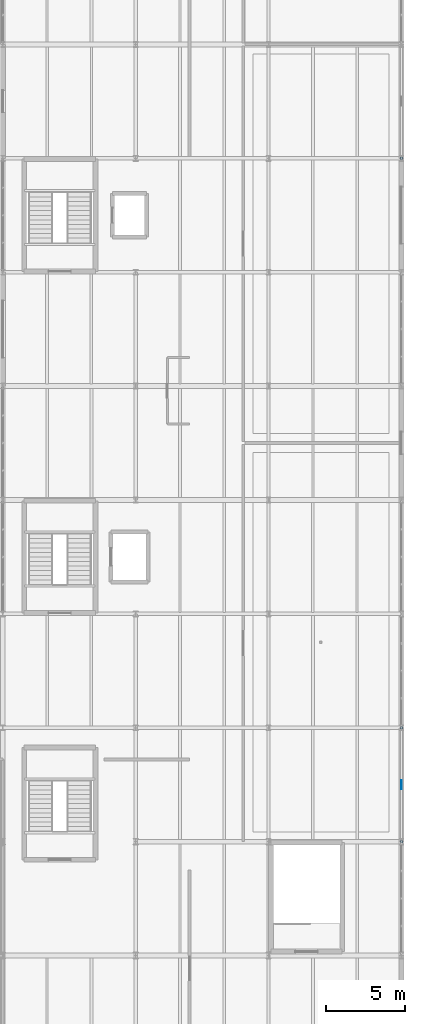
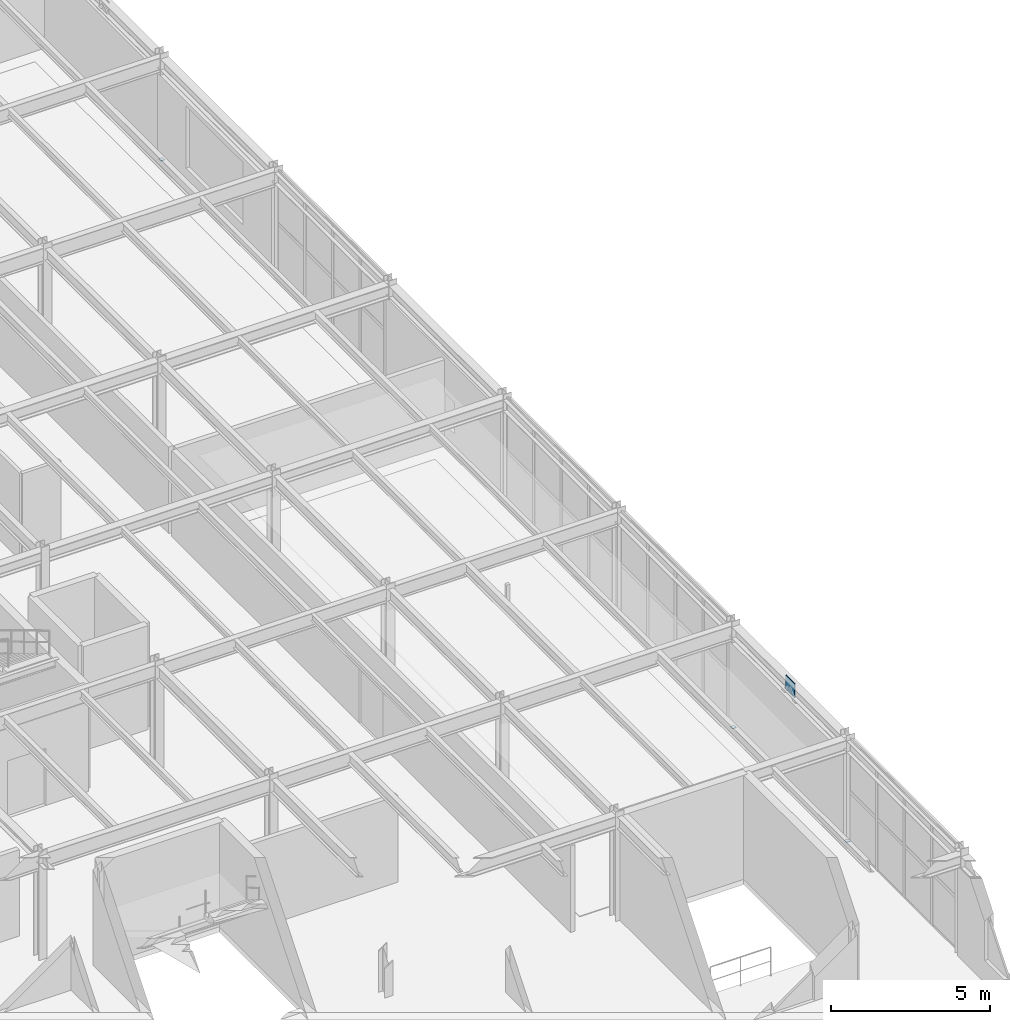
# One storey, part 59 of 73: 4 plates.
"""IFC4 building model written with IfcOpenShell, lengths in metres."""

from ifc_helpers import new_model, si_unit, derived_unit, direction, frame, origin, origin_2d, place, context, subcontext, project, spatial, rectangle, extrude, material, layer, layer_set, type_object, element, save


model = new_model("IFC4")

# Units and contexts
model_context = context("Model", 3, precision=1e-05, world=origin(), true_north=direction((0.0, 1.0)))
body_context = subcontext(model_context, "Body", "Model", "MODEL_VIEW")
ifc_project = project(units=[si_unit("LENGTHUNIT", "METRE"), si_unit("AREAUNIT", "SQUARE_METRE"), si_unit("VOLUMEUNIT", "CUBIC_METRE"), si_unit("PLANEANGLEUNIT", "RADIAN"), si_unit("MASSUNIT", "GRAM", prefix="KILO"), derived_unit("THERMALTRANSMITTANCEUNIT", [(si_unit("MASSUNIT", "GRAM", prefix="KILO"), 1), (si_unit("TIMEUNIT", "SECOND"), -3), (si_unit("THERMODYNAMICTEMPERATUREUNIT", "KELVIN"), -1)])], contexts=[model_context])

# Site, building, storey
site_placement = place(None, origin())
site = spatial("IfcSite", under=ifc_project, at=site_placement, CompositionType="ELEMENT")
building_placement = place(site_placement, origin())
building = spatial("IfcBuilding", under=site, at=building_placement, Name="Kharveza Railside Sports Centre", CompositionType="ELEMENT")
storey_placement = place(building_placement, frame((0.0, 0.0, 8.699951171875)))
storey = spatial("IfcBuildingStorey", under=building, at=storey_placement, Name="L02", CompositionType="ELEMENT", Elevation=8.699951171875)

# Plates
ifc_material = material(Name="Steel S355J2", Category="steel")
ifc_layer_1 = layer(ifc_material, 0.02001953125, Name="Steel S355J2")
ifc_layer_set_1 = layer_set([ifc_layer_1], Name="Steel S355J2")
plate_type_1 = type_object("IfcPlateType", Name="PL-EC11", PredefinedType="USERDEFINED", material=ifc_layer_set_1)
for number, where, z_axis, x_axis, name in (
    (1, (168.0, 21.60009765625, -0.010009765625), (0.0, 0.0, 1.0), (1.0, 0.0, 0.0), "PLT-EC-170"),
    (2, (168.0, 28.800048828125, -0.010009765625), (0.0, 0.0, 1.0), (1.0, 0.0, 0.0), "PLT-EC-171"),
    (3, (168.0, 64.800048828125, -0.010009765625), (0.0, 0.0, 1.0), (1.0, 0.0, 0.0), "PLT-EC-176"),
):
    element("IfcPlate", number, at=place(storey_placement, frame(where, z_axis=z_axis, x_axis=x_axis)), inside=storey, type_object=plate_type_1, Name=name, ObjectType="END_CAP_PLATE", PredefinedType="USERDEFINED", context=body_context, shape_type="SweptSolid", body=[
        extrude(rectangle(XDim=0.14990234375, YDim=0.14990234375, at=origin_2d()), origin(), (0.0, 0.0, 1.0), 0.02001953125),
    ])
ifc_layer_2 = layer(ifc_material, 0.028076171875, Name="Steel S355J2")
ifc_layer_set_2 = layer_set([ifc_layer_2], Name="Steel S355J2")
plate_type_2 = type_object("IfcPlateType", Name="PL-GS05", PredefinedType="USERDEFINED", material=ifc_layer_set_2)
plate_placement = place(storey_placement, frame((168.0, 25.199951171875, 3.469970703125), z_axis=(0.0, 0.0, 1.0), x_axis=(1.0, 0.0, 0.0)))
element("IfcPlate", 4, at=plate_placement, inside=storey, type_object=plate_type_2, Name="PLT-GS-CHEVN-016", ObjectType="GUSSET_PLATE", PredefinedType="USERDEFINED", context=body_context, shape_type="SweptSolid", body=[
    extrude(rectangle(XDim=0.028076171875, YDim=0.56005859375, at=origin_2d()), origin(), (0.0, 0.0, 1.0), 0.56005859375),
])

save(model, "model.ifc")
